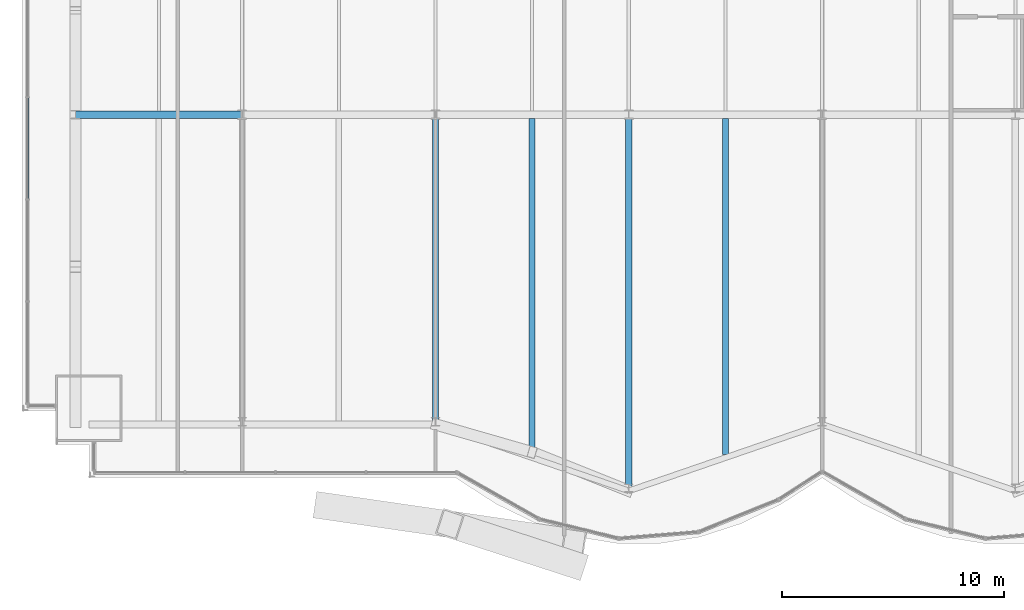
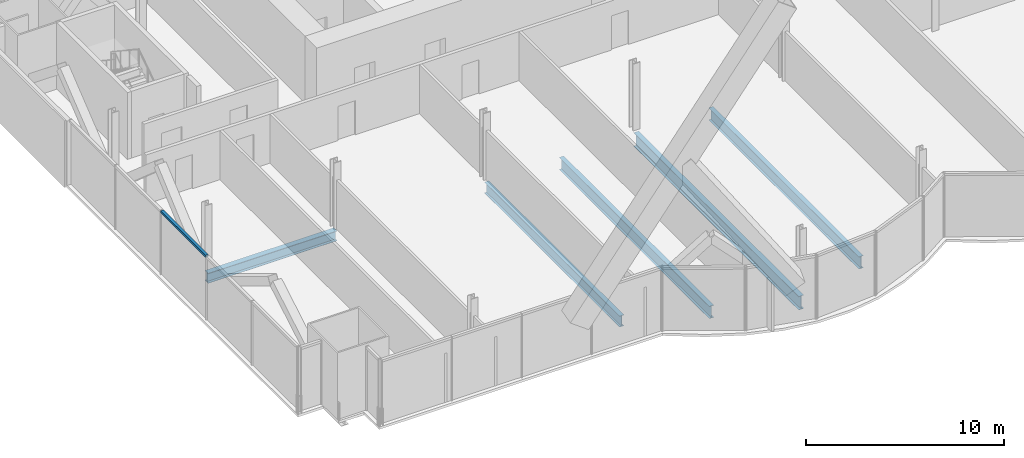
# One storey, part 6 of 22: 5 beams, 1 member, 1 element without a shape of its own.
"""IFC4 building model written with IfcOpenShell, lengths in metres."""

from ifc_helpers import new_model, si_unit, direction, frame, origin, origin_2d, place, context, subcontext, project, spatial, rectangle, i_section, extrude, material, material_profile, profile_set, type_object, element, aggregate, save


model = new_model("IFC4")

# Units and contexts
model_context = context("Model", 3, precision=1e-05, world=origin(), true_north=direction((0.0, 1.0)))
body_context = subcontext(model_context, "Body", "Model", "MODEL_VIEW")
ifc_project = project(units=[si_unit("LENGTHUNIT", "METRE"), si_unit("AREAUNIT", "SQUARE_METRE"), si_unit("VOLUMEUNIT", "CUBIC_METRE"), si_unit("PLANEANGLEUNIT", "RADIAN"), si_unit("MASSUNIT", "GRAM", prefix="KILO")], contexts=[model_context])

# Site, building, storey
site_placement = place(None, origin())
site = spatial("IfcSite", under=ifc_project, at=site_placement, CompositionType="ELEMENT")
building_placement = place(site_placement, origin())
building = spatial("IfcBuilding", under=site, at=building_placement, Name="Bicima Exchange Tower", CompositionType="ELEMENT")
storey_placement = place(building_placement, frame((0.0, 0.0, 102.199951171875)))
storey = spatial("IfcBuildingStorey", under=building, at=storey_placement, Name="L21", CompositionType="ELEMENT", Elevation=102.199951171875)

# Curtain wall, member
ifc_material_1 = material(Name="Anodised bronze aluminium", Category="aluminium")
curtain_wall_type = type_object("IfcCurtainWallType", Name="End face glass wall", PredefinedType="NOTDEFINED", material=ifc_material_1)
curtain_wall_placement = place(storey_placement, origin())
curtain_wall = element("IfcCurtainWall", 1, at=curtain_wall_placement, inside=storey, type_object=curtain_wall_type, Name="End face glass wall L21 run 2", PredefinedType="NOTDEFINED")
ifc_material_profile_1 = material_profile(ifc_material_1, rectangle(XDim=0.159912109375, YDim=0.139892578125, at=origin_2d()))
ifc_profile_set_1 = profile_set([ifc_material_profile_1], Name="Anodised bronze aluminium")
member_type = type_object("IfcMemberType", Name="End face glass wall transom 140 x 160", PredefinedType="USERDEFINED", material=ifc_profile_set_1)
member_placement = place(storey_placement, frame((-35.77001953125, -21.248046875, 3.880126953125), z_axis=(0.0, -1.0, 0.0), x_axis=(1.0, 0.0, 0.0)))
member = element("IfcMember", 2, at=member_placement, type_object=member_type, Name="End face glass wall transom 3.1", ObjectType="TRANSOM", PredefinedType="USERDEFINED", context=body_context, shape_type="SweptSolid", body=[
    extrude(rectangle(XDim=0.159912109375, YDim=0.139892578125, at=origin_2d()), origin(), (0.0, 0.0, 1.0), 4.533935546875),
])
aggregate(curtain_wall, [member])

# Beams
ifc_material_2 = material(Name="Steel ASTM A992 Gr 50", Category="steel")
ifc_material_profile_2 = material_profile(ifc_material_2, i_section(OverallWidth=0.25390625, OverallDepth=0.67822265625, WebThickness=0.01171875, FlangeThickness=0.016357421875, at=origin_2d()))
ifc_profile_set_2 = profile_set([ifc_material_profile_2], Name="Steel ASTM A992 Gr 50")
beam_type_1 = type_object("IfcBeamType", Name="Floor beam W27x84", PredefinedType="JOIST", material=ifc_profile_set_2)
beam_1_placement = place(storey_placement, frame((-17.39990234375, -22.16259765625, -0.489013671875), z_axis=(0.0, -1.0, 0.0), x_axis=(1.0, 0.0, 0.0)))
element("IfcBeam", 3, at=beam_1_placement, inside=storey, type_object=beam_type_1, Name="Floor beam", PredefinedType="JOIST", context=body_context, shape_type="SweptSolid", body=[
    extrude(i_section(OverallWidth=0.25390625, OverallDepth=0.67822265625, WebThickness=0.01171875, FlangeThickness=0.016357421875, at=origin_2d()), origin(), (0.0, 0.0, 1.0), 13.61474609375),
])
ifc_material_profile_3 = material_profile(ifc_material_2, i_section(OverallWidth=0.2666015625, OverallDepth=0.75439453125, WebThickness=0.01318359375, FlangeThickness=0.01708984375, at=origin_2d()))
ifc_profile_set_3 = profile_set([ifc_material_profile_3], Name="Steel ASTM A992 Gr 50")
beam_type_2 = type_object("IfcBeamType", Name="Floor beam W30x99", PredefinedType="JOIST", material=ifc_profile_set_3)
for number, where, z_axis, x_axis, name in (
    (4, (-13.050048828125, -22.16259765625, -0.527099609375), (0.0, -1.0, 0.0), (1.0, 0.0, 0.0), "Floor beam"),
    (5, (-4.35009765625, -22.16259765625, -0.527099609375), (0.0, -1.0, 0.0), (1.0, 0.0, 0.0), "Floor beam"),
):
    element("IfcBeam", number, at=place(storey_placement, frame(where, z_axis=z_axis, x_axis=x_axis)), inside=storey, type_object=beam_type_2, Name=name, PredefinedType="JOIST", context=body_context, shape_type="SweptSolid", body=[
        extrude(i_section(OverallWidth=0.2666015625, OverallDepth=0.75439453125, WebThickness=0.01318359375, FlangeThickness=0.01708984375, at=origin_2d()), origin(), (0.0, 0.0, 1.0), 15.13720703125),
    ])
ifc_material_profile_4 = material_profile(ifc_material_2, i_section(OverallWidth=0.2919921875, OverallDepth=0.835693359375, WebThickness=0.013916015625, FlangeThickness=0.018798828125, at=origin_2d()))
ifc_profile_set_4 = profile_set([ifc_material_profile_4], Name="Steel ASTM A992 Gr 50")
beam_type_3 = type_object("IfcBeamType", Name="Floor beam W33x118", PredefinedType="JOIST", material=ifc_profile_set_4)
beam_2_placement = place(storey_placement, frame((-8.699951171875, -22.16259765625, -0.56787109375), z_axis=(0.0, -1.0, 0.0), x_axis=(1.0, 0.0, 0.0)))
element("IfcBeam", 6, at=beam_2_placement, inside=storey, type_object=beam_type_3, Name="Floor beam", PredefinedType="JOIST", context=body_context, shape_type="SweptSolid", body=[
    extrude(i_section(OverallWidth=0.2919921875, OverallDepth=0.835693359375, WebThickness=0.013916015625, FlangeThickness=0.018798828125, at=origin_2d()), origin(), (0.0, 0.0, 1.0), 16.6328125),
])
ifc_material_profile_5 = material_profile(ifc_material_2, i_section(OverallWidth=0.3251953125, OverallDepth=0.612060546875, WebThickness=0.0126953125, FlangeThickness=0.01904296875, at=origin_2d()))
ifc_profile_set_5 = profile_set([ifc_material_profile_5], Name="Steel ASTM A992 Gr 50")
beam_type_4 = type_object("IfcBeamType", Name="Row girder W24x104", PredefinedType="BEAM", material=ifc_profile_set_5)
beam_3_placement = place(storey_placement, frame((-33.60009765625, -22.0, -0.4560546875), z_axis=(1.0, 0.0, 0.0), x_axis=(0.0, 1.0, 0.0)))
element("IfcBeam", 7, at=beam_3_placement, inside=storey, type_object=beam_type_4, Name="Row girder", PredefinedType="BEAM", context=body_context, shape_type="SweptSolid", body=[
    extrude(i_section(OverallWidth=0.3251953125, OverallDepth=0.612060546875, WebThickness=0.0126953125, FlangeThickness=0.01904296875, at=origin_2d()), origin(), (0.0, 0.0, 1.0), 7.5),
])

save(model, "model.ifc")
